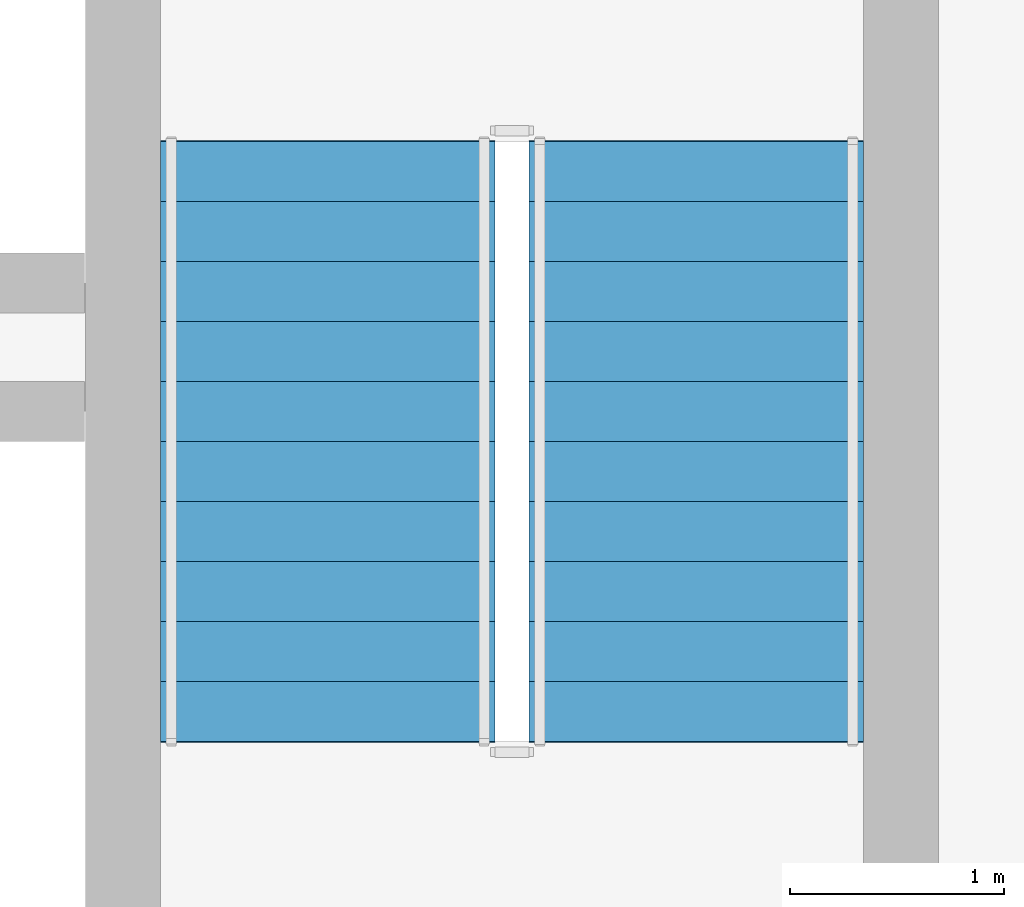
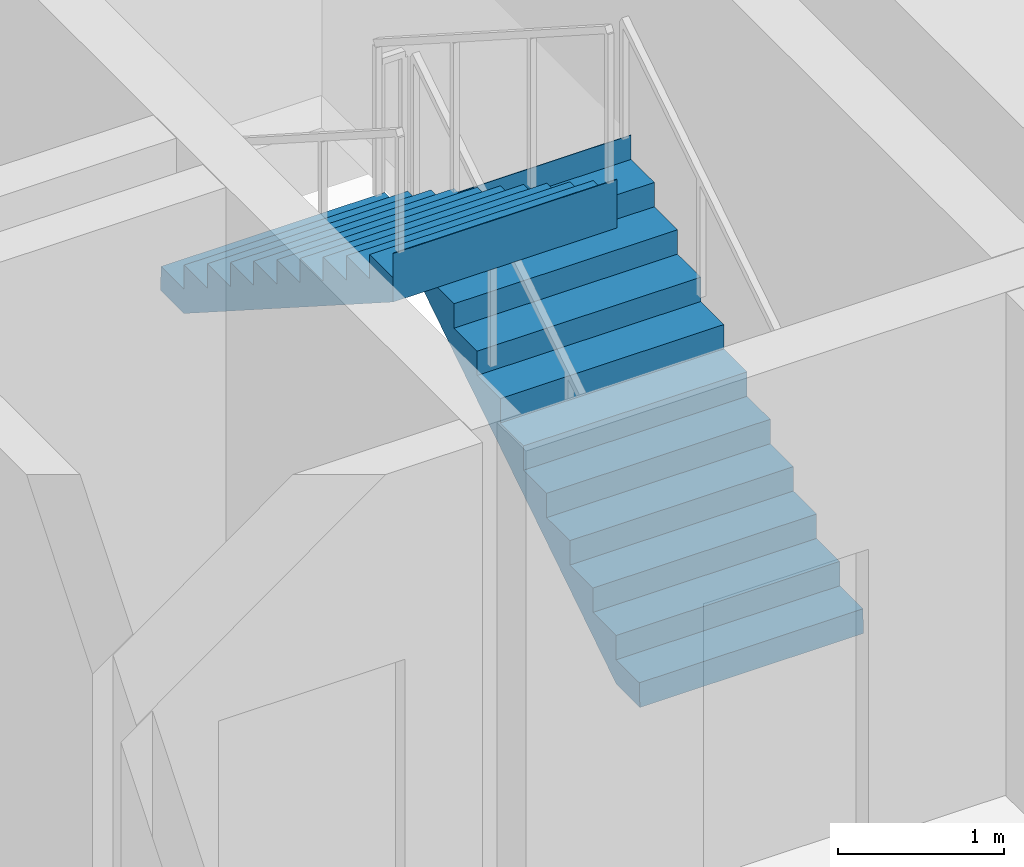
# One storey, part 8 of 11: 2 stair flights, 1 element without a shape of its own.
"""IFC4 building model written with IfcOpenShell, lengths in metres."""

from ifc_helpers import new_model, si_unit, direction, frame, origin, place, context, subcontext, project, spatial, polyline, outline, extrude, material, type_object, element, aggregate, save


model = new_model("IFC4")

# Units and contexts
model_context = context("Model", 3, precision=1e-05, world=origin(), true_north=direction((0.0, 1.0)))
body_context = subcontext(model_context, "Body", "Model", "MODEL_VIEW")
ifc_project = project(units=[si_unit("LENGTHUNIT", "METRE"), si_unit("AREAUNIT", "SQUARE_METRE"), si_unit("VOLUMEUNIT", "CUBIC_METRE"), si_unit("PLANEANGLEUNIT", "RADIAN"), si_unit("MASSUNIT", "GRAM", prefix="KILO")], contexts=[model_context])

# Site, building, storey
site_placement = place(None, origin())
site = spatial("IfcSite", under=ifc_project, at=site_placement, CompositionType="ELEMENT")
building_placement = place(site_placement, origin())
building = spatial("IfcBuilding", under=site, at=building_placement, Name="Kaelvorn Grand Hotel", CompositionType="ELEMENT")
storey_placement = place(building_placement, frame((0.0, 0.0, 272.60009765625)))
storey = spatial("IfcBuildingStorey", under=building, at=storey_placement, Name="L67", CompositionType="ELEMENT", Elevation=272.60009765625)

# Stair, stair flights
ifc_material = material(Name="Concrete C40/50", Category="concrete")
stair_type = type_object("IfcStairType", Name="STR-DOG-1560-R09", PredefinedType="HALF_TURN_STAIR", material=ifc_material)
stair_placement = place(storey_placement, origin())
stair = element("IfcStair", 1, at=stair_placement, inside=storey, type_object=stair_type, Name="L67 East Core Exit Stair ST3", PredefinedType="HALF_TURN_STAIR")
stair_flight_type = type_object("IfcStairFlightType", Name="FLG-DOG-1560-R09", PredefinedType="STRAIGHT", material=ifc_material)
stair_flight_1_placement = place(storey_placement, frame((65.820068359375, 41.760009765625, 0.0), z_axis=(0.0, 0.0, 1.0), x_axis=(0.0, 1.0, 0.0)))
stair_flight_1 = element("IfcStairFlight", 2, at=stair_flight_1_placement, type_object=stair_flight_type, Name="ST3 flight 1", NumberOfRisers=11, NumberOfTreads=10, PredefinedType="STRAIGHT", RiserHeight=0.179545455, TreadLength=0.28, context=body_context, shape_type="SweptSolid", body=[
    extrude(outline(polyline([(-0.0048828125, 0.0), (-0.0048828125, 0.0400390625), (0.0, 0.179443359375), (0.280029296875, 0.179443359375), (0.280029296875, 0.359130859375), (0.56005859375, 0.359130859375), (0.56005859375, 0.53857421875), (0.840087890625, 0.53857421875), (0.840087890625, 0.71826171875), (1.1201171875, 0.71826171875), (1.1201171875, 0.897705078125), (1.39990234375, 0.897705078125), (1.39990234375, 1.077392578125), (1.679931640625, 1.077392578125), (1.679931640625, 1.2568359375), (1.9599609375, 1.2568359375), (1.9599609375, 1.436279296875), (2.239990234375, 1.436279296875), (2.239990234375, 1.615966796875), (2.52001953125, 1.615966796875), (2.52001953125, 1.79541015625), (2.800048828125, 1.79541015625), (2.800048828125, 1.97509765625), (2.804931640625, 1.97509765625), (2.804931640625, 1.617431640625), (0.277587890625, 0.0), (-0.0048828125, 0.0)])), frame((0.0, 0.780029296875, 0.0), z_axis=(0.0, -1.0, 0.0), x_axis=(1.0, 0.0, 0.0)), (0.0, 0.0, 1.0), 1.56005859375),
])
stair_flight_2_placement = place(storey_placement, frame((64.10009765625, 44.56005859375, 1.974853515625), z_axis=(0.0, 0.0, 1.0), x_axis=(0.0, -1.0, 0.0)))
stair_flight_2 = element("IfcStairFlight", 3, at=stair_flight_2_placement, type_object=stair_flight_type, Name="ST3 flight 2", NumberOfRisers=11, NumberOfTreads=10, PredefinedType="STRAIGHT", RiserHeight=0.179545455, TreadLength=0.28, context=body_context, shape_type="SweptSolid", body=[
    extrude(outline(polyline([(-0.0048828125, 0.0), (-0.0048828125, 0.0400390625), (0.0, 0.179443359375), (0.280029296875, 0.179443359375), (0.280029296875, 0.359130859375), (0.56005859375, 0.359130859375), (0.56005859375, 0.53857421875), (0.840087890625, 0.53857421875), (0.840087890625, 0.71826171875), (1.1201171875, 0.71826171875), (1.1201171875, 0.897705078125), (1.39990234375, 0.897705078125), (1.39990234375, 1.077392578125), (1.679931640625, 1.077392578125), (1.679931640625, 1.2568359375), (1.9599609375, 1.2568359375), (1.9599609375, 1.436279296875), (2.239990234375, 1.436279296875), (2.239990234375, 1.615966796875), (2.52001953125, 1.615966796875), (2.52001953125, 1.79541015625), (2.800048828125, 1.79541015625), (2.800048828125, 1.97509765625), (2.804931640625, 1.97509765625), (2.804931640625, 1.617431640625), (0.277587890625, 0.0), (-0.0048828125, 0.0)])), frame((0.0, 0.780029296875, 0.0), z_axis=(0.0, -1.0, 0.0), x_axis=(1.0, 0.0, 0.0)), (0.0, 0.0, 1.0), 1.56005859375),
])
aggregate(stair, [stair_flight_1, stair_flight_2])

save(model, "model.ifc")
